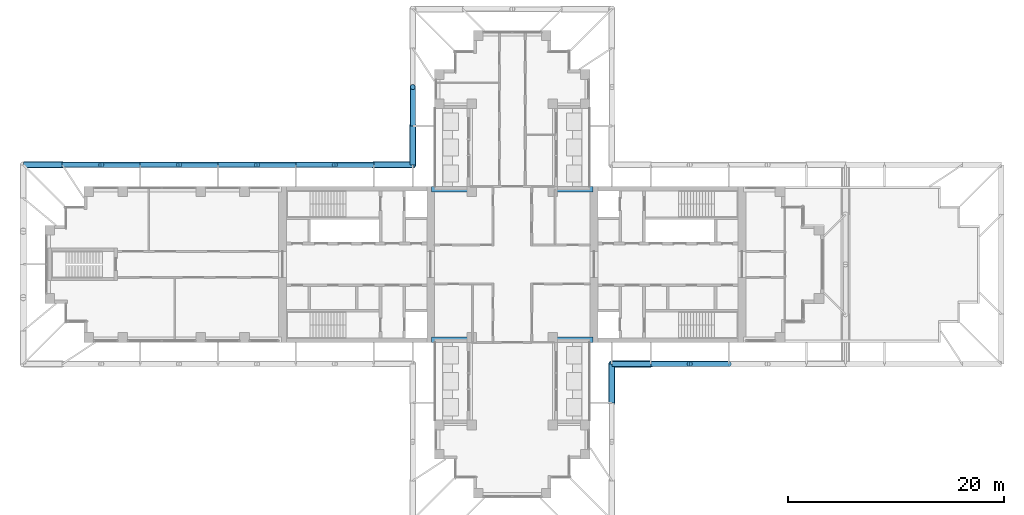
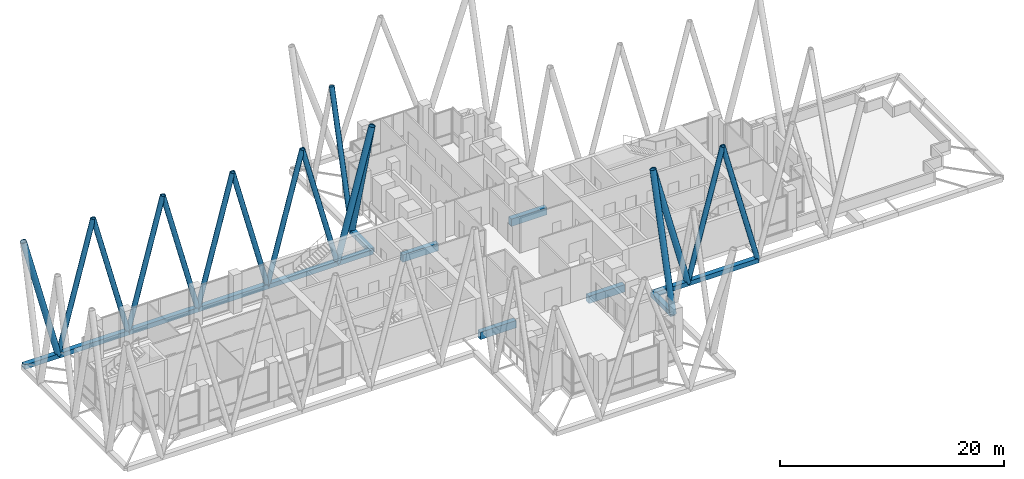
# One storey, part 5 of 19: 26 members, 4 beams.
"""IFC4 building model written with IfcOpenShell, lengths in metres."""

import ifcopenshell
import ifcopenshell.guid

model = None  # the IFC model being written
_history = None  # IfcOwnerHistory: only IFC2X3 demands one
_inside = {}  # id of a spatial element -> (the spatial element, [elements in it])
_under = {}  # id of a project, library or spatial element -> (it, [spatial elements below it])
_declared = {}  # id of a project -> (the project, [libraries it declares])
_typed = {}  # id of a type object -> (the type object, [elements of that type])
_made_of = {}  # id of a material, layer set ... -> (it, [elements and type objects made of it])


def new_model(schema):
    """Start an empty IFC model of exactly this schema.

    Asked for "IFC4X3", IfcOpenShell would pick the latest addendum, in which some entities
    have other attributes; the version numbers below select the first issue.
    IFC2X3 requires an IfcOwnerHistory on every rooted entity: one is made here for all.
    """
    global model, _history
    if schema == "IFC4X3":
        model = ifcopenshell.file(schema_version=(4, 3, 0, 0))
    else:
        model = ifcopenshell.file(schema=schema)
    _inside.clear()
    _under.clear()
    _declared.clear()
    _typed.clear()
    _made_of.clear()
    _history = None
    if model.schema == "IFC2X3":
        org = make("IfcOrganization", Name="unknown")
        user = make(
            "IfcPersonAndOrganization",
            ThePerson=make("IfcPerson", FamilyName="unknown"),
            TheOrganization=org,
        )
        app = make(
            "IfcApplication",
            ApplicationDeveloper=org,
            Version="unknown",
            ApplicationFullName="unknown",
            ApplicationIdentifier="unknown",
        )
        _history = make(
            "IfcOwnerHistory",
            OwningUser=user,
            OwningApplication=app,
            ChangeAction="ADDED",
            CreationDate=0,
        )
    return model


def make(cls, **values):
    """One entity of the class cls with the attributes given. An attribute that is None is left unset."""
    return model.create_entity(
        cls, **{name: value for name, value in values.items() if value is not None}
    )


def rooted(cls, **values):
    """An entity with a GlobalId (a new one), such as an element, a storey or a relation."""
    return make(cls, GlobalId=ifcopenshell.guid.new(), OwnerHistory=_history, **values)


def si_unit(unit_type, name, prefix=None):
    """IfcSIUnit, for example si_unit("LENGTHUNIT", "METRE", prefix="MILLI")."""
    return make("IfcSIUnit", UnitType=unit_type, Prefix=prefix, Name=name)


def assignment(units):
    """IfcUnitAssignment: the units of a project."""
    return None if units is None else make("IfcUnitAssignment", Units=units)


def point(xyz):
    """IfcCartesianPoint."""
    return None if xyz is None else make("IfcCartesianPoint", Coordinates=xyz)


def direction(xyz):
    """IfcDirection."""
    return None if xyz is None else make("IfcDirection", DirectionRatios=xyz)


def frame(location, z_axis=None, x_axis=None):
    """IfcAxis2Placement3D, a coordinate frame: its origin and axes. An axis left out is left unset."""
    return make(
        "IfcAxis2Placement3D",
        Location=point(location),
        Axis=direction(z_axis),
        RefDirection=direction(x_axis),
    )


def frame_2d(location, x_axis=None):
    """IfcAxis2Placement2D, a coordinate frame in the plane: its origin and x axis."""
    return make(
        "IfcAxis2Placement2D", Location=point(location), RefDirection=direction(x_axis)
    )


def origin():
    """The frame at (0, 0, 0) with its axes left unset."""
    return frame((0.0, 0.0, 0.0))


def origin_2d():
    """The frame at (0, 0) in the plane with its x axis left unset."""
    return frame_2d((0.0, 0.0))


def place(relative_to, where):
    """IfcLocalPlacement: puts the frame where relative to a parent placement (None: the world)."""
    return make(
        "IfcLocalPlacement", PlacementRelTo=relative_to, RelativePlacement=where
    )


def context(
    kind, dimensions, precision=None, world=None, true_north=None, identifier=None
):
    """IfcGeometricRepresentationContext, for example the 3D "Model" context."""
    return make(
        "IfcGeometricRepresentationContext",
        ContextIdentifier=identifier,
        ContextType=kind,
        CoordinateSpaceDimension=dimensions,
        Precision=precision,
        WorldCoordinateSystem=world,
        TrueNorth=true_north,
    )


def subcontext(parent, identifier, kind, view, scale=None):
    """IfcGeometricRepresentationSubContext, for example "Body" below "Model"."""
    return make(
        "IfcGeometricRepresentationSubContext",
        ContextIdentifier=identifier,
        ContextType=kind,
        ParentContext=parent,
        TargetScale=scale,
        TargetView=view,
    )


def project(units=None, contexts=None):
    """IfcProject with its units and contexts."""
    return rooted(
        "IfcProject",
        Name="project",
        RepresentationContexts=contexts,
        UnitsInContext=assignment(units),
    )


def spatial(cls, under=None, at=None, **own):
    """A site, building, storey or space (cls), placed at a placement, below another one or the project."""
    s = rooted(cls, ObjectPlacement=at, **own)
    if under is not None:
        _under.setdefault(under.id(), (under, []))[1].append(s)
    return s


def profile(cls, at=None, kind="AREA", **sizes):
    """A parametric profile (cls). Its sizes go by their IFC names, for example OverallWidth=200.0."""
    return make(cls, ProfileType=kind, Position=at, **sizes)


def rectangle(**sizes):
    """IfcRectangleProfileDef."""
    return profile("IfcRectangleProfileDef", **sizes)


def hollow_rectangle(**sizes):
    """IfcRectangleHollowProfileDef."""
    return profile("IfcRectangleHollowProfileDef", **sizes)


def hollow_circle(**sizes):
    """IfcCircleHollowProfileDef."""
    return profile("IfcCircleHollowProfileDef", **sizes)


def extrude(swept, where, along, depth):
    """IfcExtrudedAreaSolid: the profile swept, set in the frame where, extruded along a direction by depth."""
    return make(
        "IfcExtrudedAreaSolid",
        SweptArea=swept,
        Position=where,
        ExtrudedDirection=direction(along),
        Depth=depth,
    )


def shape(context_of_items, identifier, shape_type, items):
    """IfcShapeRepresentation: the items that make up one representation, for example the "Body"."""
    return make(
        "IfcShapeRepresentation",
        ContextOfItems=context_of_items,
        RepresentationIdentifier=identifier,
        RepresentationType=shape_type,
        Items=items,
    )


def material(Name=None, Category=None):
    """IfcMaterial."""
    return make("IfcMaterial", Name=Name, Category=Category)


def material_profile(
    of_material, cross_section, Name=None, Category=None, Priority=None
):
    """IfcMaterialProfile: a cross section and its material."""
    return make(
        "IfcMaterialProfile",
        Name=Name,
        Material=of_material,
        Profile=cross_section,
        Priority=Priority,
        Category=Category,
    )


def profile_set(profiles, Name=None, composite=None):
    """IfcMaterialProfileSet."""
    return make(
        "IfcMaterialProfileSet",
        Name=Name,
        MaterialProfiles=profiles,
        CompositeProfile=composite,
    )


def made_of(thing, what):
    """Note that an element or type object is made of a material, layer set ...; save() writes the relation."""
    if what is not None:
        _made_of.setdefault(what.id(), (what, []))[1].append(thing)
    return thing


def type_object(cls, material=None, **own):
    """A type object (cls), such as IfcWallType, which elements share."""
    return made_of(rooted(cls, **own), material)


def element(
    cls,
    number,
    at=None,
    inside=None,
    cuts=None,
    type_object=None,
    material=None,
    context=None,
    identifier="Body",
    shape_type=None,
    held_by="IfcProductDefinitionShape",
    body=None,
    shapes=None,
    **own,
):
    """One element of the class cls, such as IfcWall. Its Tag is "e" and its number.

    at: its placement. inside: the storey or other place that contains it. cuts: it is an
    opening in that element (IfcRelVoidsElement). A single representation is given by context,
    identifier, shape_type and body (its items); several are given by shapes. held_by: the class
    of the entity that holds the representations. save() writes the other relations.
    """
    e = rooted(cls, Tag="e%d" % number, ObjectPlacement=at, **own)
    if body is not None:
        shapes = [shape(context, identifier, shape_type, body)]
    if shapes is not None:
        e.Representation = make(held_by, Representations=shapes)
    if inside is not None:
        _inside.setdefault(inside.id(), (inside, []))[1].append(e)
    if cuts is not None:
        rooted(
            "IfcRelVoidsElement", RelatingBuildingElement=cuts, RelatedOpeningElement=e
        )
    if type_object is not None:
        _typed.setdefault(type_object.id(), (type_object, []))[1].append(e)
    return made_of(e, material)


def aggregate(whole, parts):
    """IfcRelAggregates: a whole, such as a stair, and the parts it consists of."""
    return rooted("IfcRelAggregates", RelatingObject=whole, RelatedObjects=parts)


def save(model, path):
    """Write the relations noted so far, then the file.

    IfcRelAggregates (storeys below a building ...), IfcRelContainedInSpatialStructure (elements
    in a storey), IfcRelDefinesByType, IfcRelAssociatesMaterial and IfcRelDeclares: one each for
    every whole, place, type object, material and project.
    """
    for whole, parts in _under.values():
        aggregate(whole, parts)
    for where, things in _inside.values():
        rooted(
            "IfcRelContainedInSpatialStructure",
            RelatedElements=things,
            RelatingStructure=where,
        )
    for kind, things in _typed.values():
        rooted("IfcRelDefinesByType", RelatedObjects=things, RelatingType=kind)
    for what, things in _made_of.values():
        rooted("IfcRelAssociatesMaterial", RelatedObjects=things, RelatingMaterial=what)
    for by, libraries in _declared.values():
        rooted("IfcRelDeclares", RelatingContext=by, RelatedDefinitions=libraries)
    model.write(path)


model = new_model("IFC4")

# Units and contexts
model_context = context("Model", 3, precision=1e-05, world=origin(), true_north=direction((0.0, 1.0)))
body_context = subcontext(model_context, "Body", "Model", "MODEL_VIEW")
ifc_project = project(units=[si_unit("LENGTHUNIT", "METRE"), si_unit("AREAUNIT", "SQUARE_METRE"), si_unit("VOLUMEUNIT", "CUBIC_METRE"), si_unit("PLANEANGLEUNIT", "RADIAN"), si_unit("MASSUNIT", "GRAM", prefix="KILO")], contexts=[model_context])

# Site, building, storey
site_placement = place(None, origin())
site = spatial("IfcSite", under=ifc_project, at=site_placement, CompositionType="ELEMENT")
building_placement = place(site_placement, origin())
building = spatial("IfcBuilding", under=site, at=building_placement, Name="Fustian Cross Tower", CompositionType="ELEMENT")
storey_placement = place(building_placement, frame((0.0, 0.0, 166.5)))
storey = spatial("IfcBuildingStorey", under=building, at=storey_placement, Name="L52", CompositionType="ELEMENT", Elevation=166.5)

# Members
ifc_material_1 = material(Name="Steel S355", Category="steel")
ifc_material_profile_1 = material_profile(ifc_material_1, hollow_circle(Radius=0.25390625, WallThickness=0.02001953125, at=origin_2d()), Name="CHS 508x20")
ifc_profile_set_1 = profile_set([ifc_material_profile_1], Name="Steel S355")
member_type_1 = type_object("IfcMemberType", Name="DIAGRID DIAGONAL CHS 508x20", PredefinedType="BRACE", material=ifc_profile_set_1)
member_1_placement = place(storey_placement, frame((12.800048828125, -9.199951171875, -0.39990234375), z_axis=(0.255885405448, 0.0, 0.966707121769), x_axis=(0.0, 1.0, 0.0)))
element("IfcMember", 1, at=member_1_placement, inside=storey, type_object=member_type_1, Name="Diagrid diagonal E-S 02", PredefinedType="BRACE", context=body_context, shape_type="SweptSolid", body=[
    extrude(hollow_circle(Radius=0.25390625, WallThickness=0.02001953125, at=origin_2d()), origin(), (0.0, 0.0, 1.0), 14.068115234375),
])
member_2_placement = place(storey_placement, frame((20.0, -9.199951171875, -0.39990234375), z_axis=(-0.255901623089, 0.0, 0.966702828847), x_axis=(0.0, -1.0, 0.0)))
element("IfcMember", 2, at=member_2_placement, inside=storey, type_object=member_type_1, Name="Diagrid diagonal E-S 03", PredefinedType="BRACE", context=body_context, shape_type="SweptSolid", body=[
    extrude(hollow_circle(Radius=0.25390625, WallThickness=0.02001953125, at=origin_2d()), origin(), (0.0, 0.0, 1.0), 14.068359375),
])
for number, where, z_axis, x_axis, name in (
    (3, (-9.199951171875, 12.800048828125, -0.39990234375), (0.0, 0.255885405448, 0.966707121769), (-1.0, 0.0, 0.0), "Diagrid diagonal N-W 03"),
    (4, (-12.800048828125, 9.199951171875, -0.39990234375), (-0.255885405448, 0.0, 0.966707121769), (0.0, -1.0, 0.0), "Diagrid diagonal W-N 02"),
):
    element("IfcMember", number, at=place(storey_placement, frame(where, z_axis=z_axis, x_axis=x_axis)), inside=storey, type_object=member_type_1, Name=name, PredefinedType="BRACE", context=body_context, shape_type="SweptSolid", body=[
        extrude(hollow_circle(Radius=0.25390625, WallThickness=0.02001953125, at=origin_2d()), origin(), (0.0, 0.0, 1.0), 14.068115234375),
    ])
for number, where, z_axis, x_axis, name in (
    (5, (-20.0, 9.199951171875, -0.39990234375), (0.255901623089, 0.0, 0.966702828847), (0.0, 1.0, 0.0), "Diagrid diagonal W-N 03"),
    (6, (-20.0, 9.199951171875, -0.39990234375), (-0.255901623089, 0.0, 0.966702828847), (0.0, -1.0, 0.0), "Diagrid diagonal W-N 04"),
):
    element("IfcMember", number, at=place(storey_placement, frame(where, z_axis=z_axis, x_axis=x_axis)), inside=storey, type_object=member_type_1, Name=name, PredefinedType="BRACE", context=body_context, shape_type="SweptSolid", body=[
        extrude(hollow_circle(Radius=0.25390625, WallThickness=0.02001953125, at=origin_2d()), origin(), (0.0, 0.0, 1.0), 14.068359375),
    ])
member_3_placement = place(storey_placement, frame((-27.199951171875, 9.199951171875, -0.39990234375), z_axis=(0.255885405448, 0.0, 0.966707121769), x_axis=(0.0, 1.0, 0.0)))
element("IfcMember", 7, at=member_3_placement, inside=storey, type_object=member_type_1, Name="Diagrid diagonal W-N 05", PredefinedType="BRACE", context=body_context, shape_type="SweptSolid", body=[
    extrude(hollow_circle(Radius=0.25390625, WallThickness=0.02001953125, at=origin_2d()), origin(), (0.0, 0.0, 1.0), 14.068115234375),
])
member_4_placement = place(storey_placement, frame((-27.199951171875, 9.199951171875, -0.39990234375), z_axis=(-0.255901623089, 0.0, 0.966702828847), x_axis=(0.0, -1.0, 0.0)))
element("IfcMember", 8, at=member_4_placement, inside=storey, type_object=member_type_1, Name="Diagrid diagonal W-N 06", PredefinedType="BRACE", context=body_context, shape_type="SweptSolid", body=[
    extrude(hollow_circle(Radius=0.25390625, WallThickness=0.02001953125, at=origin_2d()), origin(), (0.0, 0.0, 1.0), 14.068359375),
])
member_5_placement = place(storey_placement, frame((-34.39990234375, 9.199951171875, -0.39990234375), z_axis=(0.255885405448, 0.0, 0.966707121769), x_axis=(0.0, 1.0, 0.0)))
element("IfcMember", 9, at=member_5_placement, inside=storey, type_object=member_type_1, Name="Diagrid diagonal W-N 07", PredefinedType="BRACE", context=body_context, shape_type="SweptSolid", body=[
    extrude(hollow_circle(Radius=0.25390625, WallThickness=0.02001953125, at=origin_2d()), origin(), (0.0, 0.0, 1.0), 14.068115234375),
])
for number, where, z_axis, x_axis, name in (
    (10, (-34.39990234375, 9.199951171875, -0.39990234375), (-0.255901623089, 0.0, 0.966702828847), (0.0, -1.0, 0.0), "Diagrid diagonal W-N 08"),
    (11, (-41.60009765625, 9.199951171875, -0.39990234375), (0.255901623089, 0.0, 0.966702828847), (0.0, 1.0, 0.0), "Diagrid diagonal W-N 09"),
):
    element("IfcMember", number, at=place(storey_placement, frame(where, z_axis=z_axis, x_axis=x_axis)), inside=storey, type_object=member_type_1, Name=name, PredefinedType="BRACE", context=body_context, shape_type="SweptSolid", body=[
        extrude(hollow_circle(Radius=0.25390625, WallThickness=0.02001953125, at=origin_2d()), origin(), (0.0, 0.0, 1.0), 14.068359375),
    ])
ifc_material_2 = material(Name="Steel S355", Category="steel")
ifc_material_profile_2 = material_profile(ifc_material_2, hollow_circle(Radius=0.3046875, WallThickness=0.02490234375, at=origin_2d()), Name="CHS 610x25")
ifc_profile_set_2 = profile_set([ifc_material_profile_2], Name="Steel S355")
member_type_2 = type_object("IfcMemberType", Name="DIAGRID DIAGONAL CHS 610x25", PredefinedType="BRACE", material=ifc_profile_set_2)
for number, where, z_axis, x_axis, name in (
    (12, (12.800048828125, -9.199951171875, -0.39990234375), (-0.255901623089, 0.0, 0.966702828847), (0.0, -1.0, 0.0), "Diagrid diagonal E-S 01"),
    (13, (-9.199951171875, 12.800048828125, -0.39990234375), (0.0, -0.255901623089, 0.966702828847), (1.0, 0.0, 0.0), "Diagrid diagonal N-W 04"),
    (14, (-12.800048828125, 9.199951171875, -0.39990234375), (0.255901623089, 0.0, 0.966702828847), (0.0, 1.0, 0.0), "Diagrid diagonal W-N 01"),
):
    element("IfcMember", number, at=place(storey_placement, frame(where, z_axis=z_axis, x_axis=x_axis)), inside=storey, type_object=member_type_2, Name=name, PredefinedType="BRACE", context=body_context, shape_type="SweptSolid", body=[
        extrude(hollow_circle(Radius=0.3046875, WallThickness=0.02490234375, at=origin_2d()), origin(), (0.0, 0.0, 1.0), 14.068359375),
    ])
member_6_placement = place(storey_placement, frame((-41.60009765625, 9.199951171875, -0.39990234375), z_axis=(-0.255885405448, 0.0, 0.966707121769), x_axis=(0.0, -1.0, 0.0)))
element("IfcMember", 15, at=member_6_placement, inside=storey, type_object=member_type_2, Name="Diagrid diagonal W-N 10", PredefinedType="BRACE", context=body_context, shape_type="SweptSolid", body=[
    extrude(hollow_circle(Radius=0.3046875, WallThickness=0.02490234375, at=origin_2d()), origin(), (0.0, 0.0, 1.0), 14.068115234375),
])
member_7_placement = place(storey_placement, frame((9.199951171875, -12.800048828125, -0.39990234375), z_axis=(0.0, 0.255901623089, 0.966702828847), x_axis=(-1.0, 0.0, 0.0)))
element("IfcMember", 16, at=member_7_placement, inside=storey, type_object=member_type_2, Name="Diagrid diagonal S-E 04", PredefinedType="BRACE", context=body_context, shape_type="SweptSolid", body=[
    extrude(hollow_circle(Radius=0.3046875, WallThickness=0.02490234375, at=origin_2d()), origin(), (0.0, 0.0, 1.0), 14.068359375),
])
ifc_material_3 = material(Name="Steel S355", Category="steel")
ifc_material_profile_3 = material_profile(ifc_material_3, hollow_rectangle(XDim=0.5, YDim=0.5, WallThickness=0.02490234375, at=origin_2d()), Name="RHS 500x500x25")
ifc_profile_set_3 = profile_set([ifc_material_profile_3], Name="Steel S355")
member_type_3 = type_object("IfcMemberType", Name="DIAGRID RING RHS 500x500x25", PredefinedType="MEMBER", material=ifc_profile_set_3)
for number, where, z_axis, x_axis, name in (
    (17, (-9.199951171875, 12.800048828125, -0.39990234375), (0.0, -1.0, 0.0), (1.0, 0.0, 0.0), "Diagrid ring L52-18 L52-19"),
    (18, (-9.199951171875, 9.199951171875, -0.39990234375), (-1.0, 0.0, 0.0), (0.0, -1.0, 0.0), "Diagrid ring L52-19 L52-20"),
):
    element("IfcMember", number, at=place(storey_placement, frame(where, z_axis=z_axis, x_axis=x_axis)), inside=storey, type_object=member_type_3, Name=name, PredefinedType="MEMBER", context=body_context, shape_type="SweptSolid", body=[
        extrude(hollow_rectangle(XDim=0.5, YDim=0.5, WallThickness=0.02490234375, at=origin_2d()), origin(), (0.0, 0.0, 1.0), 3.60009765625),
    ])
for number, where, z_axis, x_axis, name in (
    (19, (-12.800048828125, 9.199951171875, -0.39990234375), (-1.0, 0.0, 0.0), (0.0, -1.0, 0.0), "Diagrid ring L52-20 L52-21"),
    (20, (-20.0, 9.199951171875, -0.39990234375), (-1.0, 0.0, 0.0), (0.0, -1.0, 0.0), "Diagrid ring L52-21 L52-22"),
    (21, (-27.199951171875, 9.199951171875, -0.39990234375), (-1.0, 0.0, 0.0), (0.0, -1.0, 0.0), "Diagrid ring L52-22 L52-23"),
):
    element("IfcMember", number, at=place(storey_placement, frame(where, z_axis=z_axis, x_axis=x_axis)), inside=storey, type_object=member_type_3, Name=name, PredefinedType="MEMBER", context=body_context, shape_type="SweptSolid", body=[
        extrude(hollow_rectangle(XDim=0.5, YDim=0.5, WallThickness=0.02490234375, at=origin_2d()), origin(), (0.0, 0.0, 1.0), 7.199951171875),
    ])
member_8_placement = place(storey_placement, frame((-34.39990234375, 9.199951171875, -0.39990234375), z_axis=(-1.0, 0.0, 0.0), x_axis=(0.0, -1.0, 0.0)))
element("IfcMember", 22, at=member_8_placement, inside=storey, type_object=member_type_3, Name="Diagrid ring L52-23 L52-24", PredefinedType="MEMBER", context=body_context, shape_type="SweptSolid", body=[
    extrude(hollow_rectangle(XDim=0.5, YDim=0.5, WallThickness=0.02490234375, at=origin_2d()), origin(), (0.0, 0.0, 1.0), 7.2001953125),
])
member_9_placement = place(storey_placement, frame((-41.60009765625, 9.199951171875, -0.39990234375), z_axis=(-1.0, 0.0, 0.0), x_axis=(0.0, -1.0, 0.0)))
element("IfcMember", 23, at=member_9_placement, inside=storey, type_object=member_type_3, Name="Diagrid ring L52-24 L52-25", PredefinedType="MEMBER", context=body_context, shape_type="SweptSolid", body=[
    extrude(hollow_rectangle(XDim=0.5, YDim=0.5, WallThickness=0.02490234375, at=origin_2d()), origin(), (0.0, 0.0, 1.0), 3.599853515625),
])
for number, where, z_axis, x_axis, name in (
    (24, (9.199951171875, -12.800048828125, -0.39990234375), (0.0, 1.0, 0.0), (-1.0, 0.0, 0.0), "Diagrid ring L52-43 L52-44"),
    (25, (9.199951171875, -9.199951171875, -0.39990234375), (1.0, 0.0, 0.0), (0.0, 1.0, 0.0), "Diagrid ring L52-44 L52-45"),
):
    element("IfcMember", number, at=place(storey_placement, frame(where, z_axis=z_axis, x_axis=x_axis)), inside=storey, type_object=member_type_3, Name=name, PredefinedType="MEMBER", context=body_context, shape_type="SweptSolid", body=[
        extrude(hollow_rectangle(XDim=0.5, YDim=0.5, WallThickness=0.02490234375, at=origin_2d()), origin(), (0.0, 0.0, 1.0), 3.60009765625),
    ])
member_10_placement = place(storey_placement, frame((12.800048828125, -9.199951171875, -0.39990234375), z_axis=(1.0, 0.0, 0.0), x_axis=(0.0, 1.0, 0.0)))
element("IfcMember", 26, at=member_10_placement, inside=storey, type_object=member_type_3, Name="Diagrid ring L52-45 L52-46", PredefinedType="MEMBER", context=body_context, shape_type="SweptSolid", body=[
    extrude(hollow_rectangle(XDim=0.5, YDim=0.5, WallThickness=0.02490234375, at=origin_2d()), origin(), (0.0, 0.0, 1.0), 7.199951171875),
])

# Beams
ifc_material_4 = material(Name="Concrete C50/60", Category="concrete")
ifc_material_profile_4 = material_profile(ifc_material_4, rectangle(XDim=0.5, YDim=0.800048828125, at=origin_2d()), Name="RC 500x800")
ifc_profile_set_4 = profile_set([ifc_material_profile_4], Name="Concrete C50/60")
beam_type = type_object("IfcBeamType", Name="EDGE BEAM RC 500x800 C50/60", PredefinedType="SPANDREL", material=ifc_profile_set_4)
for number, where, z_axis, x_axis, name in (
    (27, (7.449951171875, 6.949951171875, -0.39990234375), (-1.0, 0.0, 0.0), (0.0, -1.0, 0.0), "EDGE BEAM L52-03"),
    (28, (-3.75, 6.949951171875, -0.39990234375), (-1.0, 0.0, 0.0), (0.0, -1.0, 0.0), "EDGE BEAM L52-11"),
    (29, (-7.449951171875, -6.949951171875, -0.39990234375), (1.0, 0.0, 0.0), (0.0, 1.0, 0.0), "EDGE BEAM L52-21"),
    (30, (3.75, -6.949951171875, -0.39990234375), (1.0, 0.0, 0.0), (0.0, 1.0, 0.0), "EDGE BEAM L52-29"),
):
    element("IfcBeam", number, at=place(storey_placement, frame(where, z_axis=z_axis, x_axis=x_axis)), inside=storey, type_object=beam_type, Name=name, PredefinedType="SPANDREL", context=body_context, shape_type="SweptSolid", body=[
        extrude(rectangle(XDim=0.5, YDim=0.800048828125, at=origin_2d()), origin(), (0.0, 0.0, 1.0), 3.699951171875),
    ])

save(model, "model.ifc")
